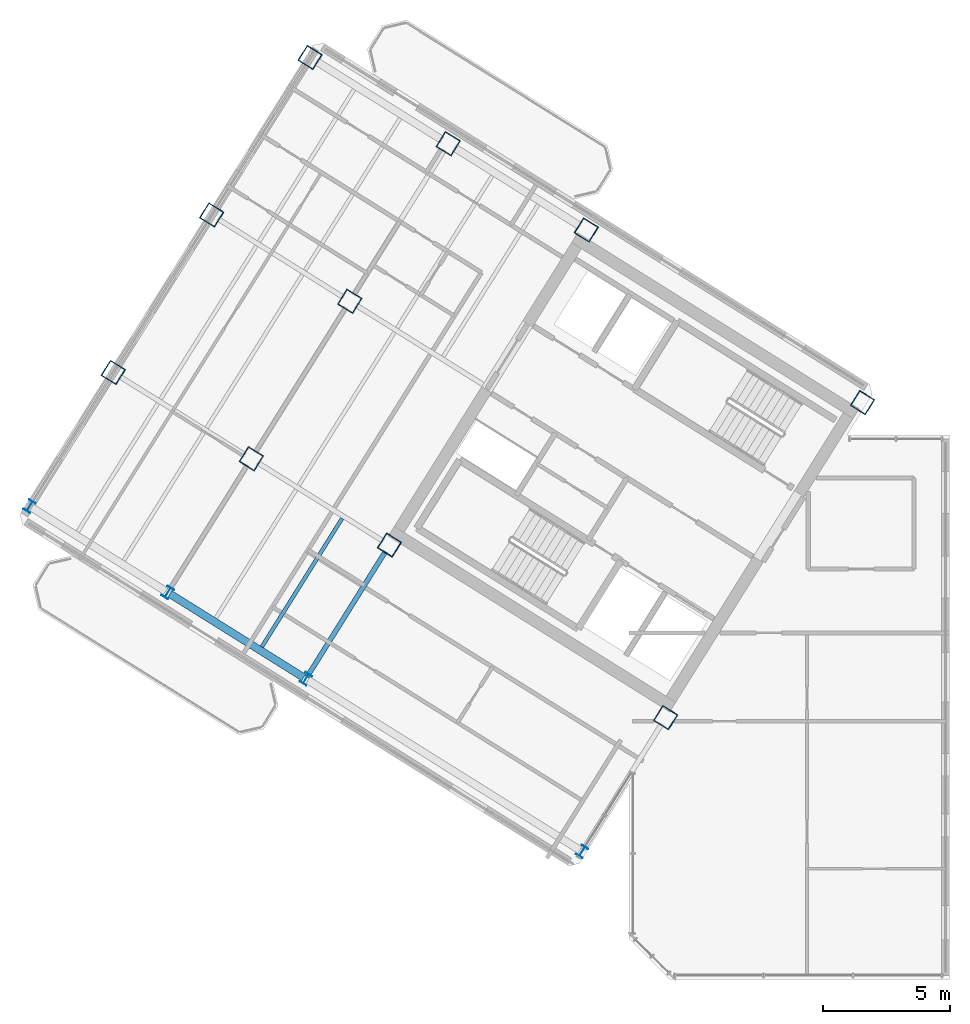
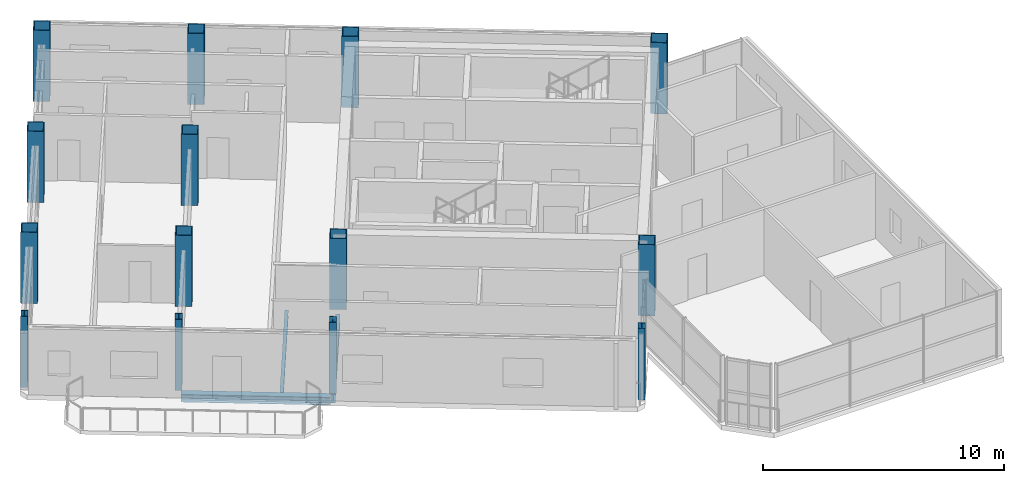
# One storey, part 1 of 14: 14 columns, 3 beams.
"""IFC4 building model written with IfcOpenShell, lengths in metres."""

from ifc_helpers import new_model, si_unit, direction, frame, origin, origin_2d, place, context, subcontext, project, spatial, hollow_rectangle, i_section, extrude, source, transform, mapped, material, material_profile, profile_set, type_object, element, save


model = new_model("IFC4")

# Units and contexts
model_context = context("Model", 3, precision=1e-05, world=origin(), true_north=direction((0.0, 1.0)))
body_context = subcontext(model_context, "Body", "Model", "MODEL_VIEW")
ifc_project = project(units=[si_unit("LENGTHUNIT", "METRE"), si_unit("AREAUNIT", "SQUARE_METRE"), si_unit("VOLUMEUNIT", "CUBIC_METRE"), si_unit("PLANEANGLEUNIT", "RADIAN"), si_unit("MASSUNIT", "GRAM", prefix="KILO")], contexts=[model_context])

# Site, building, storey
site_placement = place(None, origin())
site = spatial("IfcSite", under=ifc_project, at=site_placement, CompositionType="ELEMENT")
building_placement = place(site_placement, origin())
building = spatial("IfcBuilding", under=site, at=building_placement, Name="Tlacorven Tower", CompositionType="ELEMENT")
storey_placement = place(building_placement, frame((0.0, 0.0, 284.39990234375)))
storey = spatial("IfcBuildingStorey", under=building, at=storey_placement, Name="L72", CompositionType="ELEMENT", Elevation=284.39990234375)

# Columns
ifc_material_1 = material(Name="Steel S355J2", Category="steel")
ifc_material_profile_1 = material_profile(ifc_material_1, i_section(OverallWidth=0.300048828125, OverallDepth=0.449951171875, WebThickness=0.013916015625, FlangeThickness=0.02587890625, at=origin_2d()), Name="HEB 450")
ifc_profile_set_1 = profile_set([ifc_material_profile_1], Name="Steel S355J2")
column_type_1 = type_object("IfcColumnType", Name="COL-TWR-P3", PredefinedType="COLUMN", material=ifc_profile_set_1)
shared_shape_1 = source(origin(), body_context, "Body", "SweptSolid", [
    extrude(i_section(OverallWidth=0.300048828125, OverallDepth=0.449951171875, WebThickness=0.013916015625, FlangeThickness=0.02587890625, at=origin_2d()), origin(), (0.0, 0.0, 1.0), 3.60009765625),
])
for number, where, z_axis, x_axis, name in (
    (1, (29.7607421875, 6.8291015625, 0.0), (0.0, 0.0, 1.0), (-0.848048096156, 0.529919264233, 0.0), "L72 column COL-L72-W1-4"),
    (2, (18.905517578125, 13.612060546875, 0.0), (0.0, 0.0, 1.0), (-0.848048096156, 0.529919264233, 0.0), "L72 column COL-L72-W3-4"),
    (3, (13.47802734375, 17.00341796875, 0.0), (0.0, 0.0, 1.0), (-0.848048096156, 0.529919264233, 0.0), "L72 column COL-L72-W4-4"),
    (4, (8.050537109375, 20.39501953125, 0.0), (0.0, 0.0, 1.0), (-0.848048096156, 0.529919264233, 0.0), "L72 column COL-L72-W5-4"),
):
    element("IfcColumn", number, at=place(storey_placement, frame(where, z_axis=z_axis, x_axis=x_axis)), inside=storey, type_object=column_type_1, Name=name, PredefinedType="COLUMN", context=body_context, shape_type="MappedRepresentation", body=[
        mapped(shared_shape_1, transform((0.0, 0.0, 0.0), scale=1.0)),
    ])
ifc_material_2 = material(Name="Steel S460M", Category="steel")
ifc_material_profile_2 = material_profile(ifc_material_2, hollow_rectangle(XDim=0.699951171875, YDim=0.699951171875, WallThickness=0.028076171875, at=origin_2d()), Name="BOX 700X700X28")
ifc_profile_set_2 = profile_set([ifc_material_profile_2], Name="Steel S460M")
column_type_2 = type_object("IfcColumnType", Name="COL-TWR-S4", PredefinedType="COLUMN", material=ifc_profile_set_2)
shared_shape_2 = source(origin(), body_context, "Body", "SweptSolid", [
    extrude(hollow_rectangle(XDim=0.699951171875, YDim=0.699951171875, WallThickness=0.028076171875, at=origin_2d()), origin(), (0.0, 0.0, 1.0), 3.60009765625),
])
for number, where, z_axis, x_axis, name in (
    (5, (40.782958984375, 24.468505859375, 0.0), (0.0, 0.0, 1.0), (-0.848048096156, 0.529919264233, 0.0), "L72 column COL-L72-W1-1"),
    (6, (33.046142578125, 12.0869140625, 0.0), (0.0, 0.0, 1.0), (-0.848048096156, 0.529919264233, 0.0), "L72 column COL-L72-W1-3"),
    (7, (29.927978515625, 31.25146484375, 0.0), (0.0, 0.0, 1.0), (-0.848048096156, 0.529919264233, 0.0), "L72 column COL-L72-W3-1"),
    (8, (22.191162109375, 18.869873046875, 0.0), (0.0, 0.0, 1.0), (-0.848048096156, 0.529919264233, 0.0), "L72 column COL-L72-W3-3"),
    (9, (24.50048828125, 34.642822265625, 0.0), (0.0, 0.0, 1.0), (-0.848048096156, 0.529919264233, 0.0), "L72 column COL-L72-W4-1"),
    (10, (20.632080078125, 28.4521484375, 0.0), (0.0, 0.0, 1.0), (-0.848048096156, 0.529919264233, 0.0), "L72 column COL-L72-W4-2"),
    (11, (16.763671875, 22.26123046875, 0.0), (0.0, 0.0, 1.0), (-0.848048096156, 0.529919264233, 0.0), "L72 column COL-L72-W4-3"),
    (12, (19.072998046875, 38.034423828125, 0.0), (0.0, 0.0, 1.0), (-0.848048096156, 0.529919264233, 0.0), "L72 column COL-L72-W5-1"),
    (13, (15.20458984375, 31.843505859375, 0.0), (0.0, 0.0, 1.0), (-0.848048096156, 0.529919264233, 0.0), "L72 column COL-L72-W5-2"),
    (14, (11.336181640625, 25.65283203125, 0.0), (0.0, 0.0, 1.0), (-0.848048096156, 0.529919264233, 0.0), "L72 column COL-L72-W5-3"),
):
    element("IfcColumn", number, at=place(storey_placement, frame(where, z_axis=z_axis, x_axis=x_axis)), inside=storey, type_object=column_type_2, Name=name, PredefinedType="COLUMN", context=body_context, shape_type="MappedRepresentation", body=[
        mapped(shared_shape_2, transform((0.0, 0.0, 0.0), scale=1.0)),
    ])

# Beams
ifc_material_profile_3 = material_profile(ifc_material_1, i_section(OverallWidth=0.300048828125, OverallDepth=0.389892578125, WebThickness=0.010986328125, FlangeThickness=0.01904296875, at=origin_2d()), Name="HEA 400")
ifc_profile_set_3 = profile_set([ifc_material_profile_3], Name="Steel S355J2")
beam_type_1 = type_object("IfcBeamType", Name="BM-SPN-400", PredefinedType="SPANDREL", material=ifc_profile_set_3)
shared_shape_3 = source(origin(), body_context, "Body", "SweptSolid", [
    extrude(i_section(OverallWidth=0.300048828125, OverallDepth=0.389892578125, WebThickness=0.010986328125, FlangeThickness=0.01904296875, at=origin_2d()), origin(), (0.0, 0.0, 1.0), 6.199951171875),
])
beam_1_placement = place(storey_placement, frame((18.82080078125, 13.6650390625, -0.44482421875), z_axis=(-0.848051394107, 0.529913986372, 0.0), x_axis=(-0.529913986372, -0.848051394107, 0.0)))
element("IfcBeam", 15, at=beam_1_placement, inside=storey, type_object=beam_type_1, Name="L72 beam BM-L72-WL4-3", PredefinedType="SPANDREL", context=body_context, shape_type="MappedRepresentation", body=[
    mapped(shared_shape_3, transform((0.0, 0.0, 0.0), scale=1.0)),
])
ifc_material_profile_4 = material_profile(ifc_material_1, i_section(OverallWidth=0.14990234375, OverallDepth=0.300048828125, WebThickness=0.007080078125, FlangeThickness=0.0107421875, at=origin_2d()), Name="IPE 300")
ifc_profile_set_4 = profile_set([ifc_material_profile_4], Name="Steel S355J2")
beam_type_2 = type_object("IfcBeamType", Name="BM-JST-300", PredefinedType="JOIST", material=ifc_profile_set_4)
shared_shape_4 = source(origin(), body_context, "Body", "SweptSolid", [
    extrude(i_section(OverallWidth=0.14990234375, OverallDepth=0.300048828125, WebThickness=0.007080078125, FlangeThickness=0.0107421875, at=origin_2d()), origin(), (0.0, 0.0, 1.0), 5.945068359375),
])
beam_2_placement = place(storey_placement, frame((20.3291015625, 19.91552734375, -0.39990234375), z_axis=(-0.529914037113, -0.848051362401, 0.0), x_axis=(0.848051362401, -0.529914037113, 0.0)))
element("IfcBeam", 16, at=beam_2_placement, inside=storey, type_object=beam_type_2, Name="L72 beam BM-L72-WJ3-3-1", PredefinedType="JOIST", context=body_context, shape_type="MappedRepresentation", body=[
    mapped(shared_shape_4, transform((0.0, 0.0, 0.0), scale=1.0)),
])
ifc_material_profile_5 = material_profile(ifc_material_1, i_section(OverallWidth=0.18994140625, OverallDepth=0.449951171875, WebThickness=0.009521484375, FlangeThickness=0.0146484375, at=origin_2d()), Name="IPE 450")
ifc_profile_set_5 = profile_set([ifc_material_profile_5], Name="Steel S355J2")
beam_type_3 = type_object("IfcBeamType", Name="BM-TWR-450", PredefinedType="BEAM", material=ifc_profile_set_5)
shared_shape_5 = source(origin(), body_context, "Body", "SweptSolid", [
    extrude(i_section(OverallWidth=0.18994140625, OverallDepth=0.449951171875, WebThickness=0.009521484375, FlangeThickness=0.0146484375, at=origin_2d()), origin(), (0.0, 0.0, 1.0), 5.800048828125),
])
beam_3_placement = place(storey_placement, frame((22.0322265625, 18.615478515625, -0.474853515625), z_axis=(-0.52994218514, -0.848033773154, 0.0), x_axis=(0.848033773154, -0.52994218514, 0.0)))
element("IfcBeam", 17, at=beam_3_placement, inside=storey, type_object=beam_type_3, Name="L72 beam BM-L72-WT3-2", PredefinedType="BEAM", context=body_context, shape_type="MappedRepresentation", body=[
    mapped(shared_shape_5, transform((0.0, 0.0, 0.0), scale=1.0)),
])

save(model, "model.ifc")
